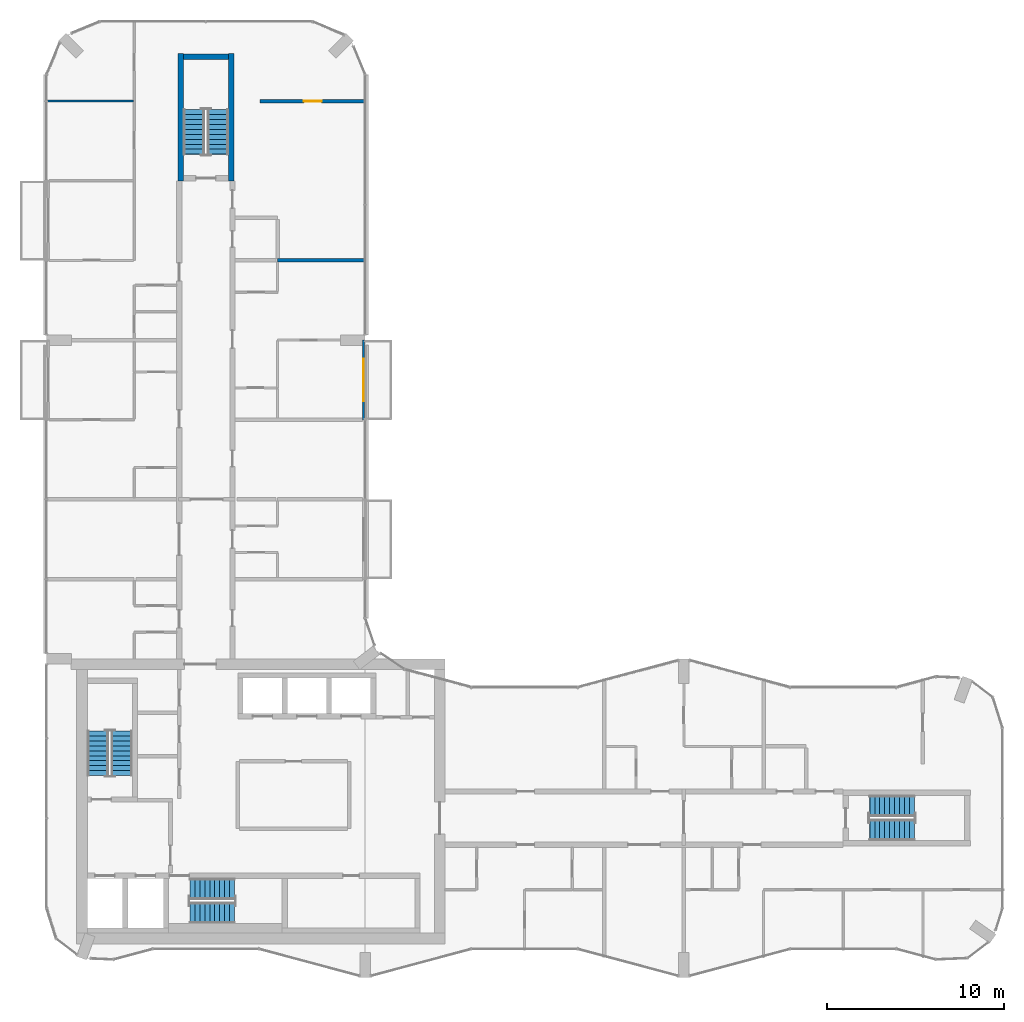
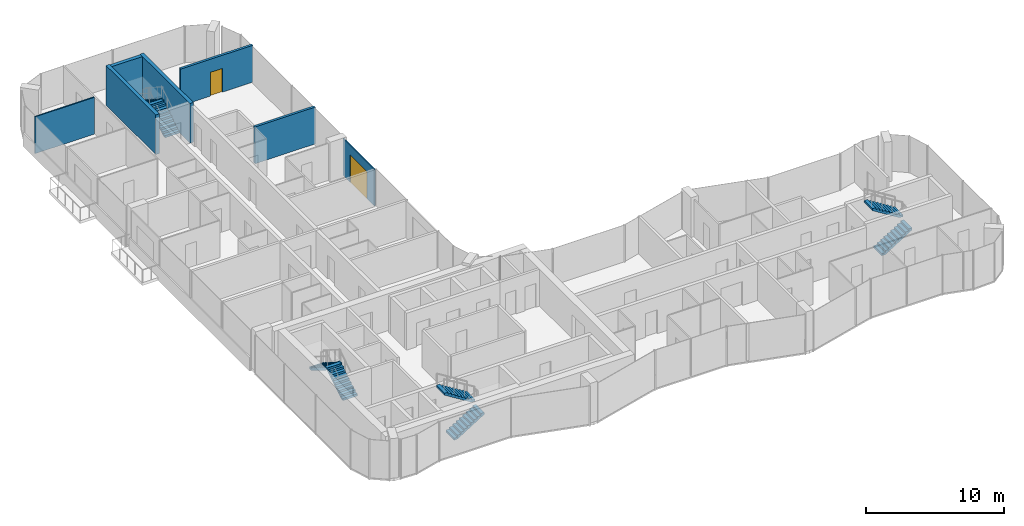
# One storey, part 13 of 15: 8 stair flights, 7 walls, 2 doors, 2 openings, 4 elements without a shape of their own.
"""IFC4 building model written with IfcOpenShell, lengths in metres."""

import ifcopenshell
import ifcopenshell.guid

model = None  # the IFC model being written
_history = None  # IfcOwnerHistory: only IFC2X3 demands one
_inside = {}  # id of a spatial element -> (the spatial element, [elements in it])
_under = {}  # id of a project, library or spatial element -> (it, [spatial elements below it])
_declared = {}  # id of a project -> (the project, [libraries it declares])
_typed = {}  # id of a type object -> (the type object, [elements of that type])
_made_of = {}  # id of a material, layer set ... -> (it, [elements and type objects made of it])


def new_model(schema):
    """Start an empty IFC model of exactly this schema.

    Asked for "IFC4X3", IfcOpenShell would pick the latest addendum, in which some entities
    have other attributes; the version numbers below select the first issue.
    IFC2X3 requires an IfcOwnerHistory on every rooted entity: one is made here for all.
    """
    global model, _history
    if schema == "IFC4X3":
        model = ifcopenshell.file(schema_version=(4, 3, 0, 0))
    else:
        model = ifcopenshell.file(schema=schema)
    _inside.clear()
    _under.clear()
    _declared.clear()
    _typed.clear()
    _made_of.clear()
    _history = None
    if model.schema == "IFC2X3":
        org = make("IfcOrganization", Name="unknown")
        user = make(
            "IfcPersonAndOrganization",
            ThePerson=make("IfcPerson", FamilyName="unknown"),
            TheOrganization=org,
        )
        app = make(
            "IfcApplication",
            ApplicationDeveloper=org,
            Version="unknown",
            ApplicationFullName="unknown",
            ApplicationIdentifier="unknown",
        )
        _history = make(
            "IfcOwnerHistory",
            OwningUser=user,
            OwningApplication=app,
            ChangeAction="ADDED",
            CreationDate=0,
        )
    return model


def make(cls, **values):
    """One entity of the class cls with the attributes given. An attribute that is None is left unset."""
    return model.create_entity(
        cls, **{name: value for name, value in values.items() if value is not None}
    )


def rooted(cls, **values):
    """An entity with a GlobalId (a new one), such as an element, a storey or a relation."""
    return make(cls, GlobalId=ifcopenshell.guid.new(), OwnerHistory=_history, **values)


def si_unit(unit_type, name, prefix=None):
    """IfcSIUnit, for example si_unit("LENGTHUNIT", "METRE", prefix="MILLI")."""
    return make("IfcSIUnit", UnitType=unit_type, Prefix=prefix, Name=name)


def assignment(units):
    """IfcUnitAssignment: the units of a project."""
    return None if units is None else make("IfcUnitAssignment", Units=units)


def point(xyz):
    """IfcCartesianPoint."""
    return None if xyz is None else make("IfcCartesianPoint", Coordinates=xyz)


def direction(xyz):
    """IfcDirection."""
    return None if xyz is None else make("IfcDirection", DirectionRatios=xyz)


def frame(location, z_axis=None, x_axis=None):
    """IfcAxis2Placement3D, a coordinate frame: its origin and axes. An axis left out is left unset."""
    return make(
        "IfcAxis2Placement3D",
        Location=point(location),
        Axis=direction(z_axis),
        RefDirection=direction(x_axis),
    )


def frame_2d(location, x_axis=None):
    """IfcAxis2Placement2D, a coordinate frame in the plane: its origin and x axis."""
    return make(
        "IfcAxis2Placement2D", Location=point(location), RefDirection=direction(x_axis)
    )


def origin():
    """The frame at (0, 0, 0) with its axes left unset."""
    return frame((0.0, 0.0, 0.0))


def place(relative_to, where):
    """IfcLocalPlacement: puts the frame where relative to a parent placement (None: the world)."""
    return make(
        "IfcLocalPlacement", PlacementRelTo=relative_to, RelativePlacement=where
    )


def context(
    kind, dimensions, precision=None, world=None, true_north=None, identifier=None
):
    """IfcGeometricRepresentationContext, for example the 3D "Model" context."""
    return make(
        "IfcGeometricRepresentationContext",
        ContextIdentifier=identifier,
        ContextType=kind,
        CoordinateSpaceDimension=dimensions,
        Precision=precision,
        WorldCoordinateSystem=world,
        TrueNorth=true_north,
    )


def subcontext(parent, identifier, kind, view, scale=None):
    """IfcGeometricRepresentationSubContext, for example "Body" below "Model"."""
    return make(
        "IfcGeometricRepresentationSubContext",
        ContextIdentifier=identifier,
        ContextType=kind,
        ParentContext=parent,
        TargetScale=scale,
        TargetView=view,
    )


def project(units=None, contexts=None):
    """IfcProject with its units and contexts."""
    return rooted(
        "IfcProject",
        Name="project",
        RepresentationContexts=contexts,
        UnitsInContext=assignment(units),
    )


def spatial(cls, under=None, at=None, **own):
    """A site, building, storey or space (cls), placed at a placement, below another one or the project."""
    s = rooted(cls, ObjectPlacement=at, **own)
    if under is not None:
        _under.setdefault(under.id(), (under, []))[1].append(s)
    return s


def polyline(points):
    """IfcPolyline through the points."""
    return make("IfcPolyline", Points=[point(p) for p in points])


def profile(cls, at=None, kind="AREA", **sizes):
    """A parametric profile (cls). Its sizes go by their IFC names, for example OverallWidth=200.0."""
    return make(cls, ProfileType=kind, Position=at, **sizes)


def rectangle(**sizes):
    """IfcRectangleProfileDef."""
    return profile("IfcRectangleProfileDef", **sizes)


def outline(outer, holes=None, kind="AREA"):
    """IfcArbitraryClosedProfileDef: a profile drawn as a closed curve; with holes, ...WithVoids."""
    if holes is None:
        return make("IfcArbitraryClosedProfileDef", ProfileType=kind, OuterCurve=outer)
    return make(
        "IfcArbitraryProfileDefWithVoids",
        ProfileType=kind,
        OuterCurve=outer,
        InnerCurves=holes,
    )


def extrude(swept, where, along, depth):
    """IfcExtrudedAreaSolid: the profile swept, set in the frame where, extruded along a direction by depth."""
    return make(
        "IfcExtrudedAreaSolid",
        SweptArea=swept,
        Position=where,
        ExtrudedDirection=direction(along),
        Depth=depth,
    )


def shape(context_of_items, identifier, shape_type, items):
    """IfcShapeRepresentation: the items that make up one representation, for example the "Body"."""
    return make(
        "IfcShapeRepresentation",
        ContextOfItems=context_of_items,
        RepresentationIdentifier=identifier,
        RepresentationType=shape_type,
        Items=items,
    )


def material(Name=None, Category=None):
    """IfcMaterial."""
    return make("IfcMaterial", Name=Name, Category=Category)


def layer(
    of_material, thickness, ventilated=None, Name=None, Category=None, Priority=None
):
    """IfcMaterialLayer: one layer of a wall or slab, of a material (None: an air gap)."""
    return make(
        "IfcMaterialLayer",
        Material=of_material,
        LayerThickness=thickness,
        IsVentilated=ventilated,
        Name=Name,
        Category=Category,
        Priority=Priority,
    )


def layer_set(layers, Name=None):
    """IfcMaterialLayerSet."""
    return make("IfcMaterialLayerSet", MaterialLayers=layers, LayerSetName=Name)


def made_of(thing, what):
    """Note that an element or type object is made of a material, layer set ...; save() writes the relation."""
    if what is not None:
        _made_of.setdefault(what.id(), (what, []))[1].append(thing)
    return thing


def type_object(cls, material=None, **own):
    """A type object (cls), such as IfcWallType, which elements share."""
    return made_of(rooted(cls, **own), material)


def element(
    cls,
    number,
    at=None,
    inside=None,
    cuts=None,
    type_object=None,
    material=None,
    context=None,
    identifier="Body",
    shape_type=None,
    held_by="IfcProductDefinitionShape",
    body=None,
    shapes=None,
    **own,
):
    """One element of the class cls, such as IfcWall. Its Tag is "e" and its number.

    at: its placement. inside: the storey or other place that contains it. cuts: it is an
    opening in that element (IfcRelVoidsElement). A single representation is given by context,
    identifier, shape_type and body (its items); several are given by shapes. held_by: the class
    of the entity that holds the representations. save() writes the other relations.
    """
    e = rooted(cls, Tag="e%d" % number, ObjectPlacement=at, **own)
    if body is not None:
        shapes = [shape(context, identifier, shape_type, body)]
    if shapes is not None:
        e.Representation = make(held_by, Representations=shapes)
    if inside is not None:
        _inside.setdefault(inside.id(), (inside, []))[1].append(e)
    if cuts is not None:
        rooted(
            "IfcRelVoidsElement", RelatingBuildingElement=cuts, RelatedOpeningElement=e
        )
    if type_object is not None:
        _typed.setdefault(type_object.id(), (type_object, []))[1].append(e)
    return made_of(e, material)


def fill(opening, filler):
    """IfcRelFillsElement: the door or window that sits in an opening."""
    return rooted(
        "IfcRelFillsElement",
        RelatingOpeningElement=opening,
        RelatedBuildingElement=filler,
    )


def aggregate(whole, parts):
    """IfcRelAggregates: a whole, such as a stair, and the parts it consists of."""
    return rooted("IfcRelAggregates", RelatingObject=whole, RelatedObjects=parts)


def save(model, path):
    """Write the relations noted so far, then the file.

    IfcRelAggregates (storeys below a building ...), IfcRelContainedInSpatialStructure (elements
    in a storey), IfcRelDefinesByType, IfcRelAssociatesMaterial and IfcRelDeclares: one each for
    every whole, place, type object, material and project.
    """
    for whole, parts in _under.values():
        aggregate(whole, parts)
    for where, things in _inside.values():
        rooted(
            "IfcRelContainedInSpatialStructure",
            RelatedElements=things,
            RelatingStructure=where,
        )
    for kind, things in _typed.values():
        rooted("IfcRelDefinesByType", RelatedObjects=things, RelatingType=kind)
    for what, things in _made_of.values():
        rooted("IfcRelAssociatesMaterial", RelatedObjects=things, RelatingMaterial=what)
    for by, libraries in _declared.values():
        rooted("IfcRelDeclares", RelatingContext=by, RelatedDefinitions=libraries)
    model.write(path)


model = new_model("IFC4")

# Units and contexts
model_context = context("Model", 3, precision=1e-05, world=origin(), true_north=direction((0.0, 1.0)))
body_context = subcontext(model_context, "Body", "Model", "MODEL_VIEW")
ifc_project = project(units=[si_unit("LENGTHUNIT", "METRE"), si_unit("AREAUNIT", "SQUARE_METRE"), si_unit("VOLUMEUNIT", "CUBIC_METRE"), si_unit("PLANEANGLEUNIT", "RADIAN"), si_unit("MASSUNIT", "GRAM", prefix="KILO")], contexts=[model_context])

# Site, building, storey
site_placement = place(None, origin())
site = spatial("IfcSite", under=ifc_project, at=site_placement, CompositionType="ELEMENT")
building_placement = place(site_placement, origin())
building = spatial("IfcBuilding", under=site, at=building_placement, Name="Plateau Cross Towers", CompositionType="ELEMENT")
storey_placement = place(building_placement, frame((0.0, 0.0, 153.39990234375)))
storey = spatial("IfcBuildingStorey", under=building, at=storey_placement, Name="L39", CompositionType="ELEMENT", Elevation=153.39990234375)

# Wall, opening, door
ifc_material_1 = material(Name="Aluminium framed glazing", Category="aluminium")
ifc_layer_1 = layer(ifc_material_1, 0.10009765625)
ifc_layer_set_1 = layer_set([ifc_layer_1], Name="Aluminium framed glazing")
wall_type_1 = type_object("IfcWallType", Name="Balcony screen wall 100", PredefinedType="STANDARD", material=ifc_layer_set_1)
wall_1_placement = place(storey_placement, frame((17.89990234375, 36.0, 0.0), z_axis=(0.0, 0.0, 1.0), x_axis=(0.0, -1.0, 0.0)))
wall_1 = element("IfcWall", 1, at=wall_1_placement, inside=storey, type_object=wall_type_1, Name="Balcony screen wall A-BAL-L39-04", PredefinedType="STANDARD", context=body_context, shape_type="SweptSolid", body=[
    extrude(rectangle(XDim=4.5, YDim=0.10009765625, at=frame_2d((2.25, 0.0))), origin(), (0.0, 0.0, 1.0), 3.25),
])
opening_1_placement = place(wall_1_placement, frame((1.050048828125, 0.0, 0.0)))
opening_1 = element("IfcOpeningElement", 2, at=opening_1_placement, cuts=wall_1, Name="Opening D-B24", PredefinedType="OPENING", context=body_context, shape_type="SweptSolid", body=[
    extrude(rectangle(XDim=2.39990234375, YDim=2.39990234375, at=frame_2d((1.199951171875, 1.199951171875))), frame((0.0, 0.06005859375, 0.0), z_axis=(0.0, -1.0, 0.0), x_axis=(1.0, 0.0, 0.0)), (0.0, 0.0, 1.0), 0.1201171875),
])
ifc_material_2 = material(Name="Aluminium frame, double glazing", Category="aluminium")
door_type_1 = type_object("IfcDoorType", Name="Balcony sliding door 2400", OperationType="NOTDEFINED", PredefinedType="DOOR", material=ifc_material_2)
door_1_placement = place(opening_1_placement, origin())
door_1 = element("IfcDoor", 3, at=door_1_placement, inside=storey, type_object=door_type_1, Name="Balcony door A-BAL-L39-04", OperationType="SINGLE_SWING_LEFT", OverallHeight=2.39990234375, OverallWidth=2.39990234375, PredefinedType="DOOR", context=body_context, shape_type="SweptSolid", body=[
    extrude(rectangle(XDim=2.39990234375, YDim=2.39990234375, at=frame_2d((1.199951171875, 1.199951171875))), frame((0.0, 0.02490234375, 0.0), z_axis=(0.0, -1.0, 0.0), x_axis=(1.0, 0.0, 0.0)), (0.0, 0.0, 1.0), 0.050048828125),
])
fill(opening_1, door_1)

# Walls
ifc_material_3 = material(Name="Gypsum board on steel studs", Category="steel")
ifc_layer_2 = layer(ifc_material_3, 0.10009765625)
ifc_layer_set_2 = layer_set([ifc_layer_2], Name="Gypsum board on steel studs")
wall_type_2 = type_object("IfcWallType", Name="Flat partition 100", PredefinedType="PARTITIONING", material=ifc_layer_set_2)
wall_2_placement = place(storey_placement, frame((4.89990234375, 49.5, 0.0), z_axis=(0.0, 0.0, 1.0), x_axis=(-1.0, 0.0, 0.0)))
element("IfcWall", 4, at=wall_2_placement, inside=storey, type_object=wall_type_2, Name="Partition wall", PredefinedType="PARTITIONING", context=body_context, shape_type="SweptSolid", body=[
    extrude(rectangle(XDim=4.97998046875, YDim=0.10009765625, at=frame_2d((2.489990234375, 0.0))), origin(), (0.0, 0.0, 1.0), 3.25),
])
ifc_material_4 = material(Name="Gypsum board on steel studs, two layers each side", Category="steel")
ifc_layer_3 = layer(ifc_material_4, 0.199951171875)
ifc_layer_set_3 = layer_set([ifc_layer_3], Name="Gypsum board on steel studs, two layers each side")
wall_type_3 = type_object("IfcWallType", Name="Flat party wall 200", PredefinedType="PARTITIONING", material=ifc_layer_set_3)
wall_3_placement = place(storey_placement, frame((13.050048828125, 40.5, 0.0), z_axis=(0.0, 0.0, 1.0), x_axis=(1.0, 0.0, 0.0)))
element("IfcWall", 5, at=wall_3_placement, inside=storey, type_object=wall_type_3, Name="Party wall", PredefinedType="PARTITIONING", context=body_context, shape_type="SweptSolid", body=[
    extrude(rectangle(XDim=5.030029296875, YDim=0.199951171875, at=frame_2d((2.51513671875, 0.0))), origin(), (0.0, 0.0, 1.0), 3.25),
])

# Wall, opening, door
wall_4_placement = place(storey_placement, frame((18.080078125, 49.5, 0.0), z_axis=(0.0, 0.0, 1.0), x_axis=(-1.0, 0.0, 0.0)))
wall_4 = element("IfcWall", 6, at=wall_4_placement, inside=storey, type_object=wall_type_3, Name="Party wall", PredefinedType="PARTITIONING", context=body_context, shape_type="SweptSolid", body=[
    extrude(rectangle(XDim=6.030029296875, YDim=0.199951171875, at=frame_2d((3.01513671875, 0.0))), origin(), (0.0, 0.0, 1.0), 3.25),
])
opening_2_placement = place(wall_4_placement, frame((2.550048828125, 0.0, 0.0)))
opening_2 = element("IfcOpeningElement", 7, at=opening_2_placement, cuts=wall_4, Name="Opening 39-21", PredefinedType="OPENING", context=body_context, shape_type="SweptSolid", body=[
    extrude(rectangle(XDim=1.0, YDim=2.10009765625, at=frame_2d((0.5, 1.050048828125))), frame((0.0, 0.10986328125, 0.0), z_axis=(0.0, -1.0, 0.0), x_axis=(1.0, 0.0, 0.0)), (0.0, 0.0, 1.0), 0.219970703125),
])
ifc_material_5 = material(Name="Timber, fire-resisting leaf", Category="wood")
door_type_2 = type_object("IfcDoorType", Name="Flat entrance door 1000", OperationType="NOTDEFINED", PredefinedType="DOOR", material=ifc_material_5)
door_2_placement = place(opening_2_placement, origin())
door_2 = element("IfcDoor", 8, at=door_2_placement, inside=storey, type_object=door_type_2, Name="Door 39-21", OperationType="SINGLE_SWING_RIGHT", OverallHeight=2.10009765625, OverallWidth=1.0, PredefinedType="DOOR", context=body_context, shape_type="SweptSolid", body=[
    extrude(rectangle(XDim=1.0, YDim=2.10009765625, at=frame_2d((0.5, 1.050048828125))), frame((0.0, 0.02490234375, 0.0), z_axis=(0.0, -1.0, 0.0), x_axis=(1.0, 0.0, 0.0)), (0.0, 0.0, 1.0), 0.050048828125),
])
fill(opening_2, door_2)

# Walls
ifc_material_6 = material(Name="Concrete C60/75", Category="concrete")
ifc_layer_4 = layer(ifc_material_6, 0.300048828125)
ifc_layer_set_4 = layer_set([ifc_layer_4], Name="Concrete C60/75")
wall_type_4 = type_object("IfcWallType", Name="Stair tower wall 300", PredefinedType="SHEAR", material=ifc_layer_set_4)
wall_5_placement = place(storey_placement, frame((7.72509765625, 52.0, 0.0), z_axis=(0.0, 0.0, 1.0), x_axis=(1.0, 0.0, 0.0)))
element("IfcWall", 9, at=wall_5_placement, inside=storey, type_object=wall_type_4, Name="A-end-N-N@L39", PredefinedType="SHEAR", context=body_context, shape_type="SweptSolid", body=[
    extrude(rectangle(XDim=2.5498046875, YDim=0.300048828125, at=frame_2d((1.27490234375, 0.0))), origin(), (0.0, 0.0, 1.0), 3.5),
])
for number, where, z_axis, x_axis, name in (
    (10, (7.574951171875, 45.0, 0.0), (0.0, 0.0, 1.0), (0.0, 1.0, 0.0), "A-end-N-W@L39"),
    (11, (10.425048828125, 45.0, 0.0), (0.0, 0.0, 1.0), (0.0, 1.0, 0.0), "A-end-N-E@L39"),
):
    element("IfcWall", number, at=place(storey_placement, frame(where, z_axis=z_axis, x_axis=x_axis)), inside=storey, type_object=wall_type_4, Name=name, PredefinedType="SHEAR", context=body_context, shape_type="SweptSolid", body=[
        extrude(rectangle(XDim=7.199951171875, YDim=0.300048828125, at=frame_2d((3.60009765625, 0.0))), origin(), (0.0, 0.0, 1.0), 3.5),
    ])

# Stair, stair flights
ifc_material_7 = material(Name="Concrete C40/50", Category="concrete")
stair_type = type_object("IfcStairType", Name="ST-TWR", PredefinedType="HALF_TURN_STAIR", material=ifc_material_7)
stair_1_placement = place(storey_placement, origin())
stair_1 = element("IfcStair", 12, at=stair_1_placement, inside=storey, type_object=stair_type, Name="L39 Protected Exit Stair ST-1", PredefinedType="HALF_TURN_STAIR")
stair_flight_type = type_object("IfcStairFlightType", Name="SFL-RC", PredefinedType="STRAIGHT", material=ifc_material_7)
stair_flight_1_placement = place(storey_placement, frame((4.25, 11.39990234375, 0.0), z_axis=(0.0, 0.0, 1.0), x_axis=(0.0, 1.0, 0.0)))
stair_flight_1 = element("IfcStairFlight", 13, at=stair_flight_1_placement, type_object=stair_flight_type, Name="ST-1 flight 1", NumberOfRisers=10, NumberOfTreads=9, PredefinedType="STRAIGHT", RiserHeight=0.175, TreadLength=0.28, context=body_context, shape_type="SweptSolid", body=[
    extrude(outline(polyline([(-0.0048828125, -0.010009765625), (-0.0048828125, 0.0), (0.0, 0.0), (0.0, 0.175048828125), (0.280029296875, 0.175048828125), (0.280029296875, 0.35009765625), (0.56005859375, 0.35009765625), (0.56005859375, 0.52490234375), (0.840087890625, 0.52490234375), (0.840087890625, 0.699951171875), (1.1201171875, 0.699951171875), (1.1201171875, 0.875), (1.39990234375, 0.875), (1.39990234375, 1.050048828125), (1.679931640625, 1.050048828125), (1.679931640625, 1.22509765625), (1.9599609375, 1.22509765625), (1.9599609375, 1.39990234375), (2.239990234375, 1.39990234375), (2.239990234375, 1.574951171875), (2.52001953125, 1.574951171875), (2.52490234375, 1.56494140625), (2.52490234375, 1.398193359375), (2.52001953125, 1.398193359375), (0.28271484375, 0.0), (0.02001953125, 0.0), (0.02001953125, -0.010009765625), (-0.0048828125, -0.010009765625)])), frame((0.0, 0.60009765625, 0.0), z_axis=(0.0, -1.0, 0.0), x_axis=(1.0, 0.0, 0.0)), (0.0, 0.0, 1.0), 1.199951171875),
])
stair_flight_2_placement = place(storey_placement, frame((2.89990234375, 13.919921875, 1.75), z_axis=(0.0, 0.0, 1.0), x_axis=(0.0, -1.0, 0.0)))
stair_flight_2 = element("IfcStairFlight", 14, at=stair_flight_2_placement, type_object=stair_flight_type, Name="ST-1 flight 2", NumberOfRisers=10, NumberOfTreads=9, PredefinedType="STRAIGHT", RiserHeight=0.175, TreadLength=0.28, context=body_context, shape_type="SweptSolid", body=[
    extrude(outline(polyline([(-0.0048828125, -0.010009765625), (-0.0048828125, 0.0), (0.0, 0.0), (0.0, 0.175048828125), (0.280029296875, 0.175048828125), (0.280029296875, 0.35009765625), (0.56005859375, 0.35009765625), (0.56005859375, 0.52490234375), (0.840087890625, 0.52490234375), (0.840087890625, 0.699951171875), (1.1201171875, 0.699951171875), (1.1201171875, 0.875), (1.39990234375, 0.875), (1.39990234375, 1.050048828125), (1.679931640625, 1.050048828125), (1.679931640625, 1.22509765625), (1.9599609375, 1.22509765625), (1.9599609375, 1.39990234375), (2.239990234375, 1.39990234375), (2.239990234375, 1.574951171875), (2.52001953125, 1.574951171875), (2.52490234375, 1.56494140625), (2.52490234375, 1.398193359375), (2.52001953125, 1.398193359375), (0.28271484375, 0.0), (0.02001953125, 0.0), (0.02001953125, -0.010009765625), (-0.0048828125, -0.010009765625)])), frame((0.0, 0.60009765625, 0.0), z_axis=(0.0, -1.0, 0.0), x_axis=(1.0, 0.0, 0.0)), (0.0, 0.0, 1.0), 1.199951171875),
])
aggregate(stair_1, [stair_flight_1, stair_flight_2])

stair_2_placement = place(storey_placement, origin())
stair_2 = element("IfcStair", 15, at=stair_2_placement, inside=storey, type_object=stair_type, Name="L39 Protected Exit Stair ST-2", PredefinedType="HALF_TURN_STAIR")
stair_flight_3_placement = place(storey_placement, frame((8.10009765625, 3.64990234375, 0.0), z_axis=(0.0, 0.0, 1.0), x_axis=(1.0, 0.0, 0.0)))
stair_flight_3 = element("IfcStairFlight", 16, at=stair_flight_3_placement, type_object=stair_flight_type, Name="ST-2 flight 1", NumberOfRisers=10, NumberOfTreads=9, PredefinedType="STRAIGHT", RiserHeight=0.175, TreadLength=0.28, context=body_context, shape_type="SweptSolid", body=[
    extrude(outline(polyline([(-0.0048828125, -0.010009765625), (-0.0048828125, 0.0), (0.0, 0.0), (0.0, 0.175048828125), (0.280029296875, 0.175048828125), (0.280029296875, 0.35009765625), (0.56005859375, 0.35009765625), (0.56005859375, 0.52490234375), (0.840087890625, 0.52490234375), (0.840087890625, 0.699951171875), (1.1201171875, 0.699951171875), (1.1201171875, 0.875), (1.39990234375, 0.875), (1.39990234375, 1.050048828125), (1.679931640625, 1.050048828125), (1.679931640625, 1.22509765625), (1.9599609375, 1.22509765625), (1.9599609375, 1.39990234375), (2.239990234375, 1.39990234375), (2.239990234375, 1.574951171875), (2.52001953125, 1.574951171875), (2.52490234375, 1.56494140625), (2.52490234375, 1.398193359375), (2.52001953125, 1.398193359375), (0.28271484375, 0.0), (0.02001953125, 0.0), (0.02001953125, -0.010009765625), (-0.0048828125, -0.010009765625)])), frame((0.0, 0.60009765625, 0.0), z_axis=(0.0, -1.0, 0.0), x_axis=(1.0, 0.0, 0.0)), (0.0, 0.0, 1.0), 1.199951171875),
])
stair_flight_4_placement = place(storey_placement, frame((10.6201171875, 5.0, 1.75), z_axis=(0.0, 0.0, 1.0), x_axis=(-1.0, 0.0, 0.0)))
stair_flight_4 = element("IfcStairFlight", 17, at=stair_flight_4_placement, type_object=stair_flight_type, Name="ST-2 flight 2", NumberOfRisers=10, NumberOfTreads=9, PredefinedType="STRAIGHT", RiserHeight=0.175, TreadLength=0.28, context=body_context, shape_type="SweptSolid", body=[
    extrude(outline(polyline([(-0.0048828125, -0.010009765625), (-0.0048828125, 0.0), (0.0, 0.0), (0.0, 0.175048828125), (0.280029296875, 0.175048828125), (0.280029296875, 0.35009765625), (0.56005859375, 0.35009765625), (0.56005859375, 0.52490234375), (0.840087890625, 0.52490234375), (0.840087890625, 0.699951171875), (1.1201171875, 0.699951171875), (1.1201171875, 0.875), (1.39990234375, 0.875), (1.39990234375, 1.050048828125), (1.679931640625, 1.050048828125), (1.679931640625, 1.22509765625), (1.9599609375, 1.22509765625), (1.9599609375, 1.39990234375), (2.239990234375, 1.39990234375), (2.239990234375, 1.574951171875), (2.52001953125, 1.574951171875), (2.52490234375, 1.56494140625), (2.52490234375, 1.398193359375), (2.52001953125, 1.398193359375), (0.28271484375, 0.0), (0.02001953125, 0.0), (0.02001953125, -0.010009765625), (-0.0048828125, -0.010009765625)])), frame((0.0, 0.60009765625, 0.0), z_axis=(0.0, -1.0, 0.0), x_axis=(1.0, 0.0, 0.0)), (0.0, 0.0, 1.0), 1.199951171875),
])
aggregate(stair_2, [stair_flight_3, stair_flight_4])

stair_3_placement = place(storey_placement, origin())
stair_3 = element("IfcStair", 18, at=stair_3_placement, inside=storey, type_object=stair_type, Name="L39 Protected Exit Stair E", PredefinedType="HALF_TURN_STAIR")
stair_flight_5_placement = place(storey_placement, frame((46.5, 8.324951171875, 0.0), z_axis=(0.0, 0.0, 1.0), x_axis=(1.0, 0.0, 0.0)))
stair_flight_5 = element("IfcStairFlight", 19, at=stair_flight_5_placement, type_object=stair_flight_type, Name="ES-E flight 1", NumberOfRisers=10, NumberOfTreads=9, PredefinedType="STRAIGHT", RiserHeight=0.175, TreadLength=0.28, context=body_context, shape_type="SweptSolid", body=[
    extrude(outline(polyline([(-0.0048828125, -0.010009765625), (-0.0048828125, 0.0), (0.0, 0.0), (0.0, 0.175048828125), (0.280029296875, 0.175048828125), (0.280029296875, 0.35009765625), (0.56005859375, 0.35009765625), (0.56005859375, 0.52490234375), (0.840087890625, 0.52490234375), (0.840087890625, 0.699951171875), (1.1201171875, 0.699951171875), (1.1201171875, 0.875), (1.39990234375, 0.875), (1.39990234375, 1.050048828125), (1.679931640625, 1.050048828125), (1.679931640625, 1.22509765625), (1.9599609375, 1.22509765625), (1.9599609375, 1.39990234375), (2.239990234375, 1.39990234375), (2.239990234375, 1.574951171875), (2.52001953125, 1.574951171875), (2.52490234375, 1.56494140625), (2.52490234375, 1.398193359375), (2.52001953125, 1.398193359375), (0.28271484375, 0.0), (0.02001953125, 0.0), (0.02001953125, -0.010009765625), (-0.0048828125, -0.010009765625)])), frame((0.0, 0.60009765625, 0.0), z_axis=(0.0, -1.0, 0.0), x_axis=(1.0, 0.0, 0.0)), (0.0, 0.0, 1.0), 1.199951171875),
])
stair_flight_6_placement = place(storey_placement, frame((49.02001953125, 9.675048828125, 1.75), z_axis=(0.0, 0.0, 1.0), x_axis=(-1.0, 0.0, 0.0)))
stair_flight_6 = element("IfcStairFlight", 20, at=stair_flight_6_placement, type_object=stair_flight_type, Name="ES-E flight 2", NumberOfRisers=10, NumberOfTreads=9, PredefinedType="STRAIGHT", RiserHeight=0.175, TreadLength=0.28, context=body_context, shape_type="SweptSolid", body=[
    extrude(outline(polyline([(-0.0048828125, -0.010009765625), (-0.0048828125, 0.0), (0.0, 0.0), (0.0, 0.175048828125), (0.280029296875, 0.175048828125), (0.280029296875, 0.35009765625), (0.56005859375, 0.35009765625), (0.56005859375, 0.52490234375), (0.840087890625, 0.52490234375), (0.840087890625, 0.699951171875), (1.1201171875, 0.699951171875), (1.1201171875, 0.875), (1.39990234375, 0.875), (1.39990234375, 1.050048828125), (1.679931640625, 1.050048828125), (1.679931640625, 1.22509765625), (1.9599609375, 1.22509765625), (1.9599609375, 1.39990234375), (2.239990234375, 1.39990234375), (2.239990234375, 1.574951171875), (2.52001953125, 1.574951171875), (2.52490234375, 1.56494140625), (2.52490234375, 1.398193359375), (2.52001953125, 1.398193359375), (0.28271484375, 0.0), (0.02001953125, 0.0), (0.02001953125, -0.010009765625), (-0.0048828125, -0.010009765625)])), frame((0.0, 0.60009765625, 0.0), z_axis=(0.0, -1.0, 0.0), x_axis=(1.0, 0.0, 0.0)), (0.0, 0.0, 1.0), 1.199951171875),
])
aggregate(stair_3, [stair_flight_5, stair_flight_6])

stair_4_placement = place(storey_placement, origin())
stair_4 = element("IfcStair", 21, at=stair_4_placement, inside=storey, type_object=stair_type, Name="L39 Protected Exit Stair N", PredefinedType="HALF_TURN_STAIR")
stair_flight_7_placement = place(storey_placement, frame((9.675048828125, 46.5, 0.0), z_axis=(0.0, 0.0, 1.0), x_axis=(0.0, 1.0, 0.0)))
stair_flight_7 = element("IfcStairFlight", 22, at=stair_flight_7_placement, type_object=stair_flight_type, Name="ES-N flight 1", NumberOfRisers=10, NumberOfTreads=9, PredefinedType="STRAIGHT", RiserHeight=0.175, TreadLength=0.28, context=body_context, shape_type="SweptSolid", body=[
    extrude(outline(polyline([(-0.0048828125, -0.010009765625), (-0.0048828125, 0.0), (0.0, 0.0), (0.0, 0.175048828125), (0.280029296875, 0.175048828125), (0.280029296875, 0.35009765625), (0.56005859375, 0.35009765625), (0.56005859375, 0.52490234375), (0.840087890625, 0.52490234375), (0.840087890625, 0.699951171875), (1.1201171875, 0.699951171875), (1.1201171875, 0.875), (1.39990234375, 0.875), (1.39990234375, 1.050048828125), (1.679931640625, 1.050048828125), (1.679931640625, 1.22509765625), (1.9599609375, 1.22509765625), (1.9599609375, 1.39990234375), (2.239990234375, 1.39990234375), (2.239990234375, 1.574951171875), (2.52001953125, 1.574951171875), (2.52490234375, 1.56494140625), (2.52490234375, 1.398193359375), (2.52001953125, 1.398193359375), (0.28271484375, 0.0), (0.02001953125, 0.0), (0.02001953125, -0.010009765625), (-0.0048828125, -0.010009765625)])), frame((0.0, 0.60009765625, 0.0), z_axis=(0.0, -1.0, 0.0), x_axis=(1.0, 0.0, 0.0)), (0.0, 0.0, 1.0), 1.199951171875),
])
stair_flight_8_placement = place(storey_placement, frame((8.324951171875, 49.02001953125, 1.75), z_axis=(0.0, 0.0, 1.0), x_axis=(0.0, -1.0, 0.0)))
stair_flight_8 = element("IfcStairFlight", 23, at=stair_flight_8_placement, type_object=stair_flight_type, Name="ES-N flight 2", NumberOfRisers=10, NumberOfTreads=9, PredefinedType="STRAIGHT", RiserHeight=0.175, TreadLength=0.28, context=body_context, shape_type="SweptSolid", body=[
    extrude(outline(polyline([(-0.0048828125, -0.010009765625), (-0.0048828125, 0.0), (0.0, 0.0), (0.0, 0.175048828125), (0.280029296875, 0.175048828125), (0.280029296875, 0.35009765625), (0.56005859375, 0.35009765625), (0.56005859375, 0.52490234375), (0.840087890625, 0.52490234375), (0.840087890625, 0.699951171875), (1.1201171875, 0.699951171875), (1.1201171875, 0.875), (1.39990234375, 0.875), (1.39990234375, 1.050048828125), (1.679931640625, 1.050048828125), (1.679931640625, 1.22509765625), (1.9599609375, 1.22509765625), (1.9599609375, 1.39990234375), (2.239990234375, 1.39990234375), (2.239990234375, 1.574951171875), (2.52001953125, 1.574951171875), (2.52490234375, 1.56494140625), (2.52490234375, 1.398193359375), (2.52001953125, 1.398193359375), (0.28271484375, 0.0), (0.02001953125, 0.0), (0.02001953125, -0.010009765625), (-0.0048828125, -0.010009765625)])), frame((0.0, 0.60009765625, 0.0), z_axis=(0.0, -1.0, 0.0), x_axis=(1.0, 0.0, 0.0)), (0.0, 0.0, 1.0), 1.199951171875),
])
aggregate(stair_4, [stair_flight_7, stair_flight_8])

save(model, "model.ifc")
